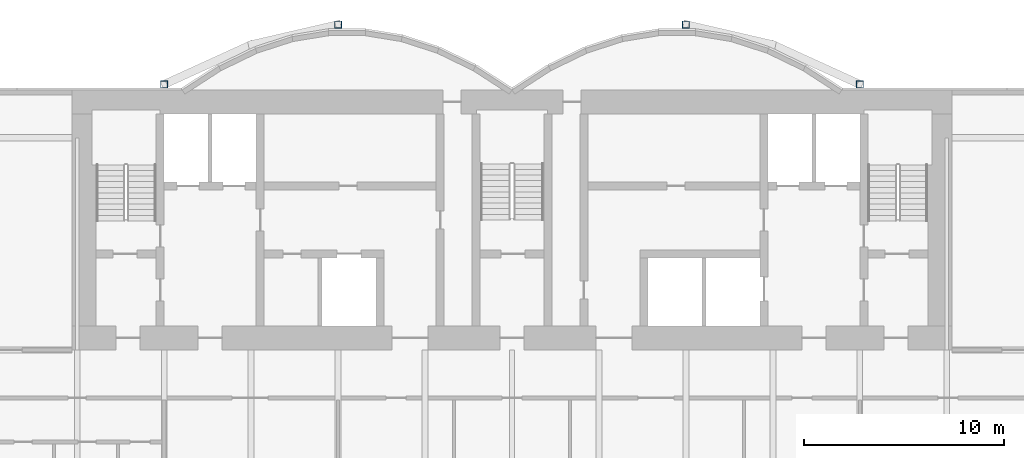
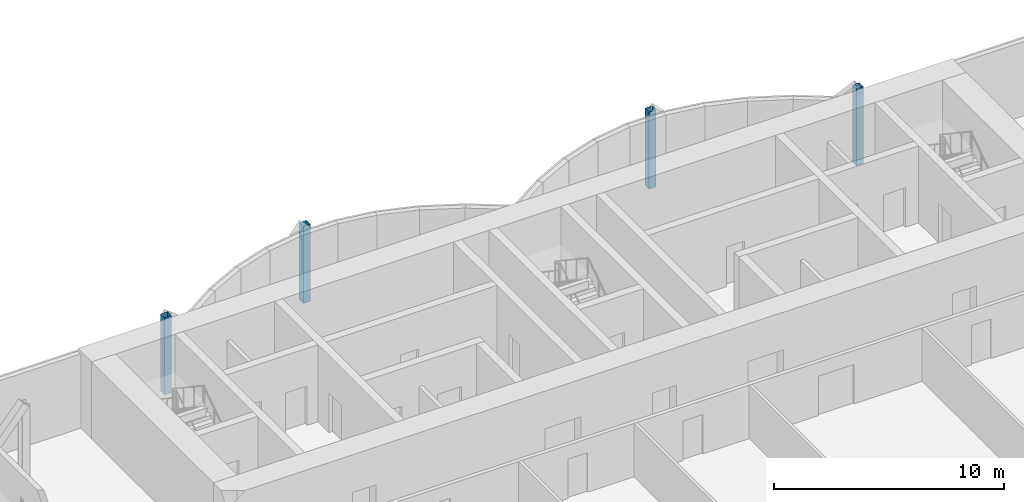
# One storey, part 3 of 20: 4 columns.
"""IFC4 building model written with IfcOpenShell, lengths in metres."""

from ifc_helpers import new_model, si_unit, direction, frame, origin, origin_2d, place, context, subcontext, project, spatial, hollow_rectangle, extrude, material, material_profile, profile_set, type_object, element, save


model = new_model("IFC4")

# Units and contexts
model_context = context("Model", 3, precision=1e-05, world=origin(), true_north=direction((0.0, 1.0)))
body_context = subcontext(model_context, "Body", "Model", "MODEL_VIEW")
ifc_project = project(units=[si_unit("LENGTHUNIT", "METRE"), si_unit("AREAUNIT", "SQUARE_METRE"), si_unit("VOLUMEUNIT", "CUBIC_METRE"), si_unit("PLANEANGLEUNIT", "RADIAN"), si_unit("MASSUNIT", "GRAM", prefix="KILO")], contexts=[model_context])

# Site, building, storey
site_placement = place(None, origin())
site = spatial("IfcSite", under=ifc_project, at=site_placement, CompositionType="ELEMENT")
building_placement = place(site_placement, origin())
building = spatial("IfcBuilding", under=site, at=building_placement, Name="Bicima Exchange Tower", CompositionType="ELEMENT")
storey_placement = place(building_placement, frame((0.0, 0.0, 223.699951171875)))
storey = spatial("IfcBuildingStorey", under=building, at=storey_placement, Name="L50", CompositionType="ELEMENT", Elevation=223.699951171875)

# Columns
ifc_material = material(Name="Steel ASTM A572 Gr 50", Category="steel")
ifc_material_profile = material_profile(ifc_material, hollow_rectangle(XDim=0.355712890625, YDim=0.355712890625, WallThickness=0.01171875, at=origin_2d()))
ifc_profile_set = profile_set([ifc_material_profile], Name="Steel ASTM A572 Gr 50")
column_type = type_object("IfcColumnType", Name="Rear pilaster HSS14x14x1/2", PredefinedType="COLUMN", material=ifc_profile_set)
for number, where, z_axis, x_axis, name in (
    (1, (-8.699951171875, 3.26904296875, 0.0), (0.0, 0.0, 1.0), (1.0, 0.0, 0.0), "Rear pilaster rexo-8.7r"),
    (2, (-17.39990234375, 0.278076171875, 0.0), (0.0, 0.0, 1.0), (1.0, 0.0, 0.0), "Rear pilaster rexo-17.4r"),
    (3, (8.699951171875, 3.26904296875, 0.0), (0.0, 0.0, 1.0), (1.0, 0.0, 0.0), "Rear pilaster rexo+8.7r"),
    (4, (17.39990234375, 0.278076171875, 0.0), (0.0, 0.0, 1.0), (1.0, 0.0, 0.0), "Rear pilaster rexo+17.4r"),
):
    element("IfcColumn", number, at=place(storey_placement, frame(where, z_axis=z_axis, x_axis=x_axis)), inside=storey, type_object=column_type, Name=name, PredefinedType="COLUMN", context=body_context, shape_type="SweptSolid", body=[
        extrude(hollow_rectangle(XDim=0.355712890625, YDim=0.355712890625, WallThickness=0.01171875, at=origin_2d()), origin(), (0.0, 0.0, 1.0), 4.10009765625),
    ])

save(model, "model.ifc")
